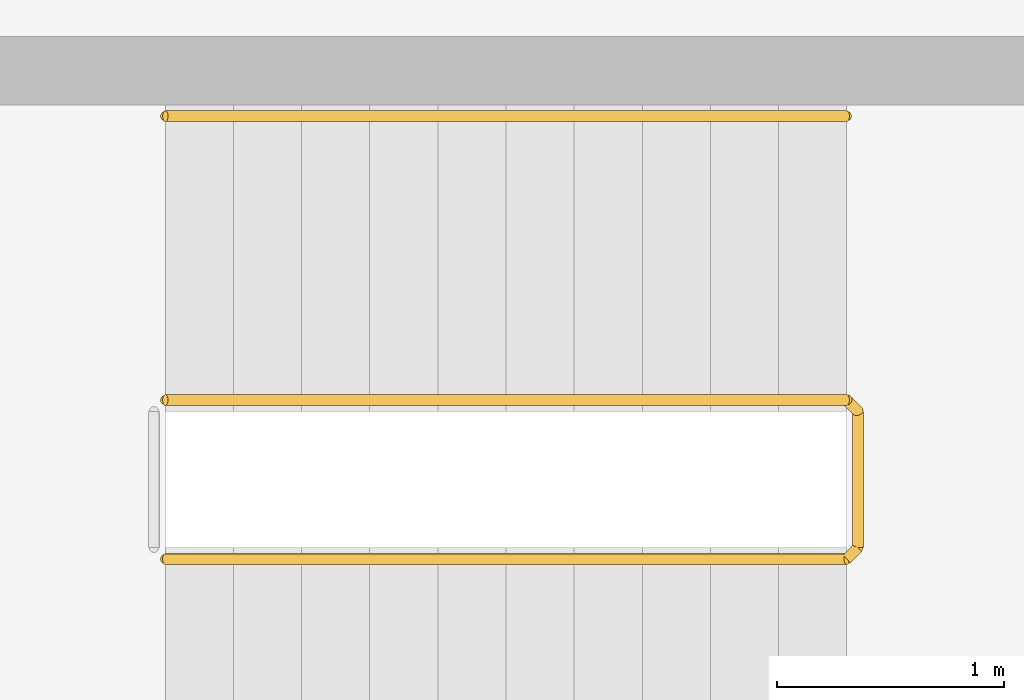
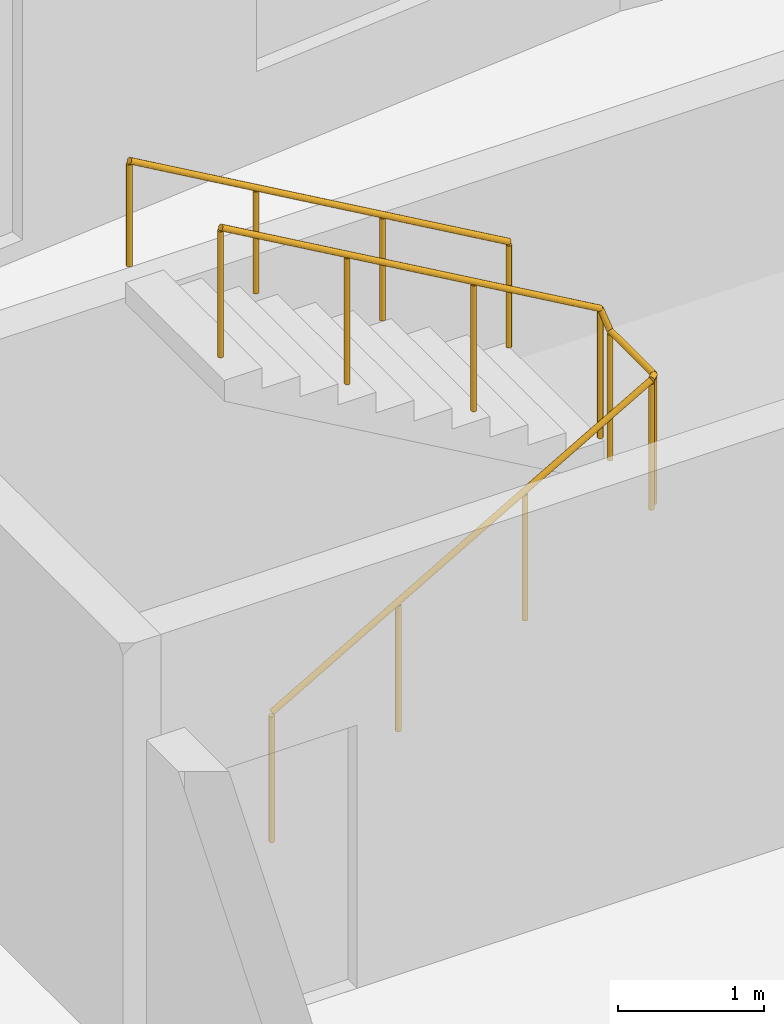
# One storey, part 10 of 10: 2 railings.
"""IFC4 building model written with IfcOpenShell, lengths in metres."""

from ifc_helpers import new_model, si_unit, direction, frame, origin, origin_2d, place, context, subcontext, project, spatial, circle, extrude, material, type_object, element, save


model = new_model("IFC4")

# Units and contexts
model_context = context("Model", 3, precision=1e-05, world=origin(), true_north=direction((0.0, 1.0)))
body_context = subcontext(model_context, "Body", "Model", "MODEL_VIEW")
ifc_project = project(units=[si_unit("LENGTHUNIT", "METRE"), si_unit("AREAUNIT", "SQUARE_METRE"), si_unit("VOLUMEUNIT", "CUBIC_METRE"), si_unit("PLANEANGLEUNIT", "RADIAN"), si_unit("MASSUNIT", "GRAM", prefix="KILO")], contexts=[model_context])

# Site, building, storey
site_placement = place(None, origin())
site = spatial("IfcSite", under=ifc_project, at=site_placement, CompositionType="ELEMENT")
building_placement = place(site_placement, origin())
building = spatial("IfcBuilding", under=site, at=building_placement, Name="Brondeck Convention Tower", CompositionType="ELEMENT")
storey_placement = place(building_placement, frame((0.0, 0.0, 154.800048828125)))
storey = spatial("IfcBuildingStorey", under=building, at=storey_placement, Name="L37", CompositionType="ELEMENT", Elevation=154.800048828125)

# Railings
ifc_material = material(Name="Steel S355", Category="steel")
railing_type_1 = type_object("IfcRailingType", Name="Stair guard 1100", PredefinedType="GUARDRAIL", material=ifc_material)
railing_1_placement = place(storey_placement, frame((37.85009765625, 55.449951171875, 0.172607421875)))
element("IfcRailing", 1, at=railing_1_placement, inside=storey, type_object=railing_type_1, Name="L37 ST-AE stair guard 1", PredefinedType="GUARDRAIL", context=body_context, shape_type="SweptSolid", body=[
    extrude(circle(Radius=0.02392578125, at=origin_2d()), frame((0.0, 0.0, 1.076171875), z_axis=(0.866619684472, 0.0, 0.498969260062), x_axis=(0.0, 1.0, 0.0)), (0.0, 0.0, 1.0), 3.461669921875),
    extrude(circle(Radius=0.02392578125, at=origin_2d()), frame((3.0, 0.0, 2.80322265625), z_axis=(0.705375805398, 0.708833529934, 0.0), x_axis=(-0.708833529934, 0.705375805398, 0.0)), (0.0, 0.0, 1.0), 0.070556640625),
    extrude(circle(Radius=0.02392578125, at=origin_2d()), frame((3.0498046875, 0.050048828125, 2.80322265625), z_axis=(0.0, 1.0, 0.0), x_axis=(-1.0, 0.0, 0.0)), (0.0, 0.0, 1.0), 0.60009765625),
    extrude(circle(Radius=0.02392578125, at=origin_2d()), frame((3.0498046875, 0.650146484375, 2.80322265625), z_axis=(-0.266832911964, 0.266832911964, 0.926067165051), x_axis=(-0.707106781187, -0.707106781187, 0.0)), (0.0, 0.0, 1.0), 0.186767578125),
    extrude(circle(Radius=0.02392578125, at=origin_2d()), frame((3.0, 0.699951171875, 2.97607421875), z_axis=(-0.866619684472, 0.0, 0.498969260062), x_axis=(0.0, -1.0, 0.0)), (0.0, 0.0, 1.0), 3.461669921875),
    extrude(circle(Radius=0.02099609375, at=origin_2d()), origin(), (0.0, 0.0, 1.0), 1.052001953125),
    extrude(circle(Radius=0.02099609375, at=origin_2d()), frame((1.0, 0.0, 0.57568359375)), (0.0, 0.0, 1.0), 1.052001953125),
    extrude(circle(Radius=0.02099609375, at=origin_2d()), frame((2.0, 0.0, 1.151611328125)), (0.0, 0.0, 1.0), 1.052001953125),
    extrude(circle(Radius=0.02099609375, at=origin_2d()), frame((3.0, 0.0, 1.727294921875)), (0.0, 0.0, 1.0), 1.052001953125),
    extrude(circle(Radius=0.02099609375, at=origin_2d()), frame((3.0498046875, 0.050048828125, 1.727294921875)), (0.0, 0.0, 1.0), 1.052001953125),
    extrude(circle(Radius=0.02099609375, at=origin_2d()), frame((3.0498046875, 0.650146484375, 1.727294921875)), (0.0, 0.0, 1.0), 1.052001953125),
    extrude(circle(Radius=0.02099609375, at=origin_2d()), frame((3.0, 0.699951171875, 1.900146484375)), (0.0, 0.0, 1.0), 1.052001953125),
    extrude(circle(Radius=0.02099609375, at=origin_2d()), frame((2.0, 0.699951171875, 2.475830078125)), (0.0, 0.0, 1.0), 1.052001953125),
    extrude(circle(Radius=0.02099609375, at=origin_2d()), frame((1.0, 0.699951171875, 3.0517578125)), (0.0, 0.0, 1.0), 1.052001953125),
    extrude(circle(Radius=0.02099609375, at=origin_2d()), frame((0.0, 0.699951171875, 3.62744140625)), (0.0, 0.0, 1.0), 1.052001953125),
])
railing_type_2 = type_object("IfcRailingType", Name="Stair handrail", PredefinedType="HANDRAIL", material=ifc_material)
railing_2_placement = place(storey_placement, frame((40.85009765625, 57.39990234375, 2.07275390625)))
element("IfcRailing", 2, at=railing_2_placement, inside=storey, type_object=railing_type_2, Name="L37 ST-AE stair handrail 2", PredefinedType="HANDRAIL", context=body_context, shape_type="SweptSolid", body=[
    extrude(circle(Radius=0.02392578125, at=origin_2d()), frame((0.0, 0.0, 0.8759765625), z_axis=(-0.866619684472, 0.0, 0.498969260062), x_axis=(0.0, -1.0, 0.0)), (0.0, 0.0, 1.0), 3.461669921875),
    extrude(circle(Radius=0.02099609375, at=origin_2d()), origin(), (0.0, 0.0, 1.0), 0.851806640625),
    extrude(circle(Radius=0.02099609375, at=origin_2d()), frame((-1.0, 0.0, 0.57568359375)), (0.0, 0.0, 1.0), 0.851806640625),
    extrude(circle(Radius=0.02099609375, at=origin_2d()), frame((-2.0, 0.0, 1.151611328125)), (0.0, 0.0, 1.0), 0.851806640625),
    extrude(circle(Radius=0.02099609375, at=origin_2d()), frame((-3.0, 0.0, 1.727294921875)), (0.0, 0.0, 1.0), 0.851806640625),
])

save(model, "model.ifc")
